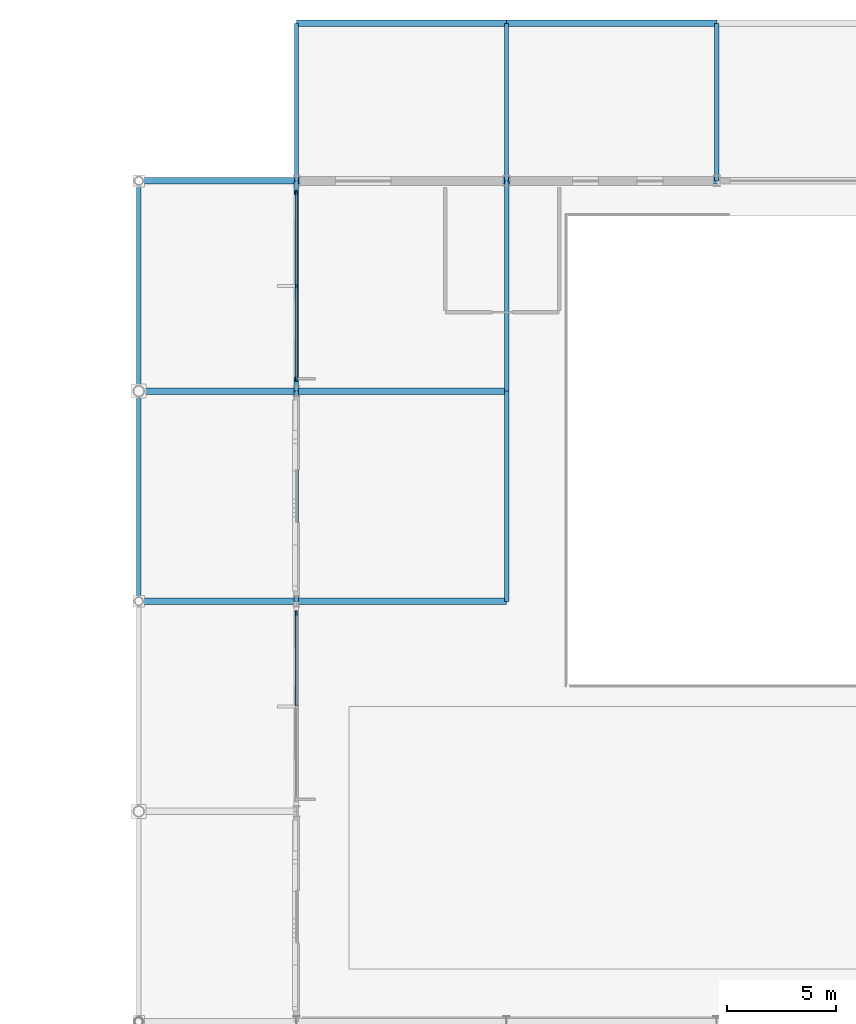
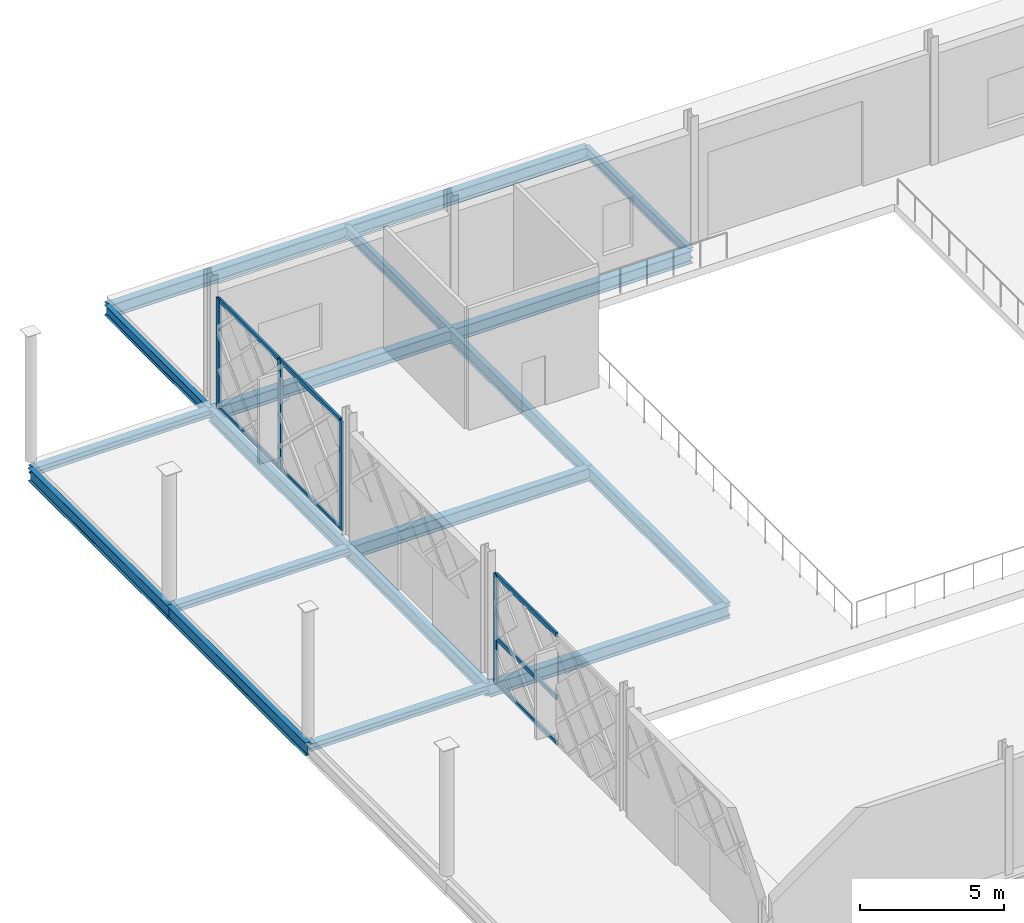
# One storey, part 36 of 84: 18 beams, 11 members, 2 elements without a shape of their own.
"""IFC4 building model written with IfcOpenShell, lengths in metres."""

import ifcopenshell
import ifcopenshell.guid

model = None  # the IFC model being written
_history = None  # IfcOwnerHistory: only IFC2X3 demands one
_inside = {}  # id of a spatial element -> (the spatial element, [elements in it])
_under = {}  # id of a project, library or spatial element -> (it, [spatial elements below it])
_declared = {}  # id of a project -> (the project, [libraries it declares])
_typed = {}  # id of a type object -> (the type object, [elements of that type])
_made_of = {}  # id of a material, layer set ... -> (it, [elements and type objects made of it])


def new_model(schema):
    """Start an empty IFC model of exactly this schema.

    Asked for "IFC4X3", IfcOpenShell would pick the latest addendum, in which some entities
    have other attributes; the version numbers below select the first issue.
    IFC2X3 requires an IfcOwnerHistory on every rooted entity: one is made here for all.
    """
    global model, _history
    if schema == "IFC4X3":
        model = ifcopenshell.file(schema_version=(4, 3, 0, 0))
    else:
        model = ifcopenshell.file(schema=schema)
    _inside.clear()
    _under.clear()
    _declared.clear()
    _typed.clear()
    _made_of.clear()
    _history = None
    if model.schema == "IFC2X3":
        org = make("IfcOrganization", Name="unknown")
        user = make(
            "IfcPersonAndOrganization",
            ThePerson=make("IfcPerson", FamilyName="unknown"),
            TheOrganization=org,
        )
        app = make(
            "IfcApplication",
            ApplicationDeveloper=org,
            Version="unknown",
            ApplicationFullName="unknown",
            ApplicationIdentifier="unknown",
        )
        _history = make(
            "IfcOwnerHistory",
            OwningUser=user,
            OwningApplication=app,
            ChangeAction="ADDED",
            CreationDate=0,
        )
    return model


def make(cls, **values):
    """One entity of the class cls with the attributes given. An attribute that is None is left unset."""
    return model.create_entity(
        cls, **{name: value for name, value in values.items() if value is not None}
    )


def rooted(cls, **values):
    """An entity with a GlobalId (a new one), such as an element, a storey or a relation."""
    return make(cls, GlobalId=ifcopenshell.guid.new(), OwnerHistory=_history, **values)


def si_unit(unit_type, name, prefix=None):
    """IfcSIUnit, for example si_unit("LENGTHUNIT", "METRE", prefix="MILLI")."""
    return make("IfcSIUnit", UnitType=unit_type, Prefix=prefix, Name=name)


def assignment(units):
    """IfcUnitAssignment: the units of a project."""
    return None if units is None else make("IfcUnitAssignment", Units=units)


def point(xyz):
    """IfcCartesianPoint."""
    return None if xyz is None else make("IfcCartesianPoint", Coordinates=xyz)


def direction(xyz):
    """IfcDirection."""
    return None if xyz is None else make("IfcDirection", DirectionRatios=xyz)


def frame(location, z_axis=None, x_axis=None):
    """IfcAxis2Placement3D, a coordinate frame: its origin and axes. An axis left out is left unset."""
    return make(
        "IfcAxis2Placement3D",
        Location=point(location),
        Axis=direction(z_axis),
        RefDirection=direction(x_axis),
    )


def frame_2d(location, x_axis=None):
    """IfcAxis2Placement2D, a coordinate frame in the plane: its origin and x axis."""
    return make(
        "IfcAxis2Placement2D", Location=point(location), RefDirection=direction(x_axis)
    )


def origin():
    """The frame at (0, 0, 0) with its axes left unset."""
    return frame((0.0, 0.0, 0.0))


def origin_2d():
    """The frame at (0, 0) in the plane with its x axis left unset."""
    return frame_2d((0.0, 0.0))


def place(relative_to, where):
    """IfcLocalPlacement: puts the frame where relative to a parent placement (None: the world)."""
    return make(
        "IfcLocalPlacement", PlacementRelTo=relative_to, RelativePlacement=where
    )


def context(
    kind, dimensions, precision=None, world=None, true_north=None, identifier=None
):
    """IfcGeometricRepresentationContext, for example the 3D "Model" context."""
    return make(
        "IfcGeometricRepresentationContext",
        ContextIdentifier=identifier,
        ContextType=kind,
        CoordinateSpaceDimension=dimensions,
        Precision=precision,
        WorldCoordinateSystem=world,
        TrueNorth=true_north,
    )


def subcontext(parent, identifier, kind, view, scale=None):
    """IfcGeometricRepresentationSubContext, for example "Body" below "Model"."""
    return make(
        "IfcGeometricRepresentationSubContext",
        ContextIdentifier=identifier,
        ContextType=kind,
        ParentContext=parent,
        TargetScale=scale,
        TargetView=view,
    )


def project(units=None, contexts=None):
    """IfcProject with its units and contexts."""
    return rooted(
        "IfcProject",
        Name="project",
        RepresentationContexts=contexts,
        UnitsInContext=assignment(units),
    )


def spatial(cls, under=None, at=None, **own):
    """A site, building, storey or space (cls), placed at a placement, below another one or the project."""
    s = rooted(cls, ObjectPlacement=at, **own)
    if under is not None:
        _under.setdefault(under.id(), (under, []))[1].append(s)
    return s


def profile(cls, at=None, kind="AREA", **sizes):
    """A parametric profile (cls). Its sizes go by their IFC names, for example OverallWidth=200.0."""
    return make(cls, ProfileType=kind, Position=at, **sizes)


def rectangle(**sizes):
    """IfcRectangleProfileDef."""
    return profile("IfcRectangleProfileDef", **sizes)


def i_section(**sizes):
    """IfcIShapeProfileDef."""
    return profile("IfcIShapeProfileDef", **sizes)


def extrude(swept, where, along, depth):
    """IfcExtrudedAreaSolid: the profile swept, set in the frame where, extruded along a direction by depth."""
    return make(
        "IfcExtrudedAreaSolid",
        SweptArea=swept,
        Position=where,
        ExtrudedDirection=direction(along),
        Depth=depth,
    )


def shape(context_of_items, identifier, shape_type, items):
    """IfcShapeRepresentation: the items that make up one representation, for example the "Body"."""
    return make(
        "IfcShapeRepresentation",
        ContextOfItems=context_of_items,
        RepresentationIdentifier=identifier,
        RepresentationType=shape_type,
        Items=items,
    )


def material(Name=None, Category=None):
    """IfcMaterial."""
    return make("IfcMaterial", Name=Name, Category=Category)


def layer(
    of_material, thickness, ventilated=None, Name=None, Category=None, Priority=None
):
    """IfcMaterialLayer: one layer of a wall or slab, of a material (None: an air gap)."""
    return make(
        "IfcMaterialLayer",
        Material=of_material,
        LayerThickness=thickness,
        IsVentilated=ventilated,
        Name=Name,
        Category=Category,
        Priority=Priority,
    )


def layer_set(layers, Name=None):
    """IfcMaterialLayerSet."""
    return make("IfcMaterialLayerSet", MaterialLayers=layers, LayerSetName=Name)


def material_profile(
    of_material, cross_section, Name=None, Category=None, Priority=None
):
    """IfcMaterialProfile: a cross section and its material."""
    return make(
        "IfcMaterialProfile",
        Name=Name,
        Material=of_material,
        Profile=cross_section,
        Priority=Priority,
        Category=Category,
    )


def profile_set(profiles, Name=None, composite=None):
    """IfcMaterialProfileSet."""
    return make(
        "IfcMaterialProfileSet",
        Name=Name,
        MaterialProfiles=profiles,
        CompositeProfile=composite,
    )


def made_of(thing, what):
    """Note that an element or type object is made of a material, layer set ...; save() writes the relation."""
    if what is not None:
        _made_of.setdefault(what.id(), (what, []))[1].append(thing)
    return thing


def type_object(cls, material=None, **own):
    """A type object (cls), such as IfcWallType, which elements share."""
    return made_of(rooted(cls, **own), material)


def element(
    cls,
    number,
    at=None,
    inside=None,
    cuts=None,
    type_object=None,
    material=None,
    context=None,
    identifier="Body",
    shape_type=None,
    held_by="IfcProductDefinitionShape",
    body=None,
    shapes=None,
    **own,
):
    """One element of the class cls, such as IfcWall. Its Tag is "e" and its number.

    at: its placement. inside: the storey or other place that contains it. cuts: it is an
    opening in that element (IfcRelVoidsElement). A single representation is given by context,
    identifier, shape_type and body (its items); several are given by shapes. held_by: the class
    of the entity that holds the representations. save() writes the other relations.
    """
    e = rooted(cls, Tag="e%d" % number, ObjectPlacement=at, **own)
    if body is not None:
        shapes = [shape(context, identifier, shape_type, body)]
    if shapes is not None:
        e.Representation = make(held_by, Representations=shapes)
    if inside is not None:
        _inside.setdefault(inside.id(), (inside, []))[1].append(e)
    if cuts is not None:
        rooted(
            "IfcRelVoidsElement", RelatingBuildingElement=cuts, RelatedOpeningElement=e
        )
    if type_object is not None:
        _typed.setdefault(type_object.id(), (type_object, []))[1].append(e)
    return made_of(e, material)


def aggregate(whole, parts):
    """IfcRelAggregates: a whole, such as a stair, and the parts it consists of."""
    return rooted("IfcRelAggregates", RelatingObject=whole, RelatedObjects=parts)


def save(model, path):
    """Write the relations noted so far, then the file.

    IfcRelAggregates (storeys below a building ...), IfcRelContainedInSpatialStructure (elements
    in a storey), IfcRelDefinesByType, IfcRelAssociatesMaterial and IfcRelDeclares: one each for
    every whole, place, type object, material and project.
    """
    for whole, parts in _under.values():
        aggregate(whole, parts)
    for where, things in _inside.values():
        rooted(
            "IfcRelContainedInSpatialStructure",
            RelatedElements=things,
            RelatingStructure=where,
        )
    for kind, things in _typed.values():
        rooted("IfcRelDefinesByType", RelatedObjects=things, RelatingType=kind)
    for what, things in _made_of.values():
        rooted("IfcRelAssociatesMaterial", RelatedObjects=things, RelatingMaterial=what)
    for by, libraries in _declared.values():
        rooted("IfcRelDeclares", RelatingContext=by, RelatedDefinitions=libraries)
    model.write(path)


model = new_model("IFC4")

# Units and contexts
model_context = context("Model", 3, precision=1e-05, world=origin(), true_north=direction((0.0, 1.0)))
body_context = subcontext(model_context, "Body", "Model", "MODEL_VIEW")
ifc_project = project(units=[si_unit("LENGTHUNIT", "METRE"), si_unit("AREAUNIT", "SQUARE_METRE"), si_unit("VOLUMEUNIT", "CUBIC_METRE"), si_unit("PLANEANGLEUNIT", "RADIAN"), si_unit("MASSUNIT", "GRAM", prefix="KILO")], contexts=[model_context])

# Site, building, storey
site_placement = place(None, origin())
site = spatial("IfcSite", under=ifc_project, at=site_placement, CompositionType="ELEMENT")
building_placement = place(site_placement, origin())
building = spatial("IfcBuilding", under=site, at=building_placement, Name="Zevrakil Square Congress Hotel", CompositionType="ELEMENT")
storey_placement = place(building_placement, origin())
storey = spatial("IfcBuildingStorey", under=building, at=storey_placement, Name="L01", CompositionType="ELEMENT", Elevation=0.0)

# Beams
ifc_material_1 = material(Name="Steel S355", Category="steel")
ifc_material_profile_1 = material_profile(ifc_material_1, i_section(OverallWidth=0.300048828125, OverallDepth=0.31005859375, WebThickness=0.009033203125, FlangeThickness=0.015380859375, FilletRadius=0.027099609375, at=origin_2d()), Name="HEA 320")
ifc_profile_set_1 = profile_set([ifc_material_profile_1], Name="Steel S355")
beam_type_1 = type_object("IfcBeamType", Name="BM-HEA320", PredefinedType="BEAM", material=ifc_profile_set_1)
for number, where, z_axis, x_axis, name in (
    (1, (0.0, 93.60009765625, -0.47509765625), (1.0, 0.0, 0.0), (0.0, 1.0, 0.0), "L01 primary girder BX-0399"),
    (2, (0.0, 103.199951171875, -0.47509765625), (1.0, 0.0, 0.0), (0.0, 1.0, 0.0), "L01 primary girder BX-0411"),
    (3, (0.0, 112.800048828125, -0.47509765625), (1.0, 0.0, 0.0), (0.0, 1.0, 0.0), "L01 primary girder BX-0423"),
):
    element("IfcBeam", number, at=place(storey_placement, frame(where, z_axis=z_axis, x_axis=x_axis)), inside=storey, type_object=beam_type_1, Name=name, PredefinedType="BEAM", context=body_context, shape_type="SweptSolid", body=[
        extrude(i_section(OverallWidth=0.300048828125, OverallDepth=0.31005859375, WebThickness=0.009033203125, FlangeThickness=0.015380859375, FilletRadius=0.027099609375, at=origin_2d()), origin(), (0.0, 0.0, 1.0), 7.199951171875),
    ])
ifc_material_2 = material(Name="Steel S355", Category="steel")
ifc_material_profile_2 = material_profile(ifc_material_2, i_section(OverallWidth=0.300048828125, OverallDepth=0.5400390625, WebThickness=0.012451171875, FlangeThickness=0.02392578125, FilletRadius=0.027099609375, at=origin_2d()), Name="HEA 550")
ifc_profile_set_2 = profile_set([ifc_material_profile_2], Name="Steel S355")
beam_type_2 = type_object("IfcBeamType", Name="BM-HEA550", PredefinedType="BEAM", material=ifc_profile_set_2)
for number, where, z_axis, x_axis, name in (
    (4, (7.199951171875, 93.60009765625, -0.590087890625), (1.0, 0.0, 0.0), (0.0, 1.0, 0.0), "L01 primary girder BX-0400"),
    (5, (7.199951171875, 103.199951171875, -0.590087890625), (1.0, 0.0, 0.0), (0.0, 1.0, 0.0), "L01 primary girder BX-0412"),
    (6, (7.199951171875, 112.800048828125, -0.590087890625), (1.0, 0.0, 0.0), (0.0, 1.0, 0.0), "L01 primary girder BX-0424"),
):
    element("IfcBeam", number, at=place(storey_placement, frame(where, z_axis=z_axis, x_axis=x_axis)), inside=storey, type_object=beam_type_2, Name=name, PredefinedType="BEAM", context=body_context, shape_type="SweptSolid", body=[
        extrude(i_section(OverallWidth=0.300048828125, OverallDepth=0.5400390625, WebThickness=0.012451171875, FlangeThickness=0.02392578125, FilletRadius=0.027099609375, at=origin_2d()), origin(), (0.0, 0.0, 1.0), 9.60009765625),
    ])
beam_1_placement = place(storey_placement, frame((16.800048828125, 112.800048828125, -0.590087890625), z_axis=(1.0, 0.0, 0.0), x_axis=(0.0, 1.0, 0.0)))
element("IfcBeam", 7, at=beam_1_placement, inside=storey, type_object=beam_type_2, Name="L01 primary girder BX-0425", PredefinedType="BEAM", context=body_context, shape_type="SweptSolid", body=[
    extrude(i_section(OverallWidth=0.300048828125, OverallDepth=0.5400390625, WebThickness=0.012451171875, FlangeThickness=0.02392578125, FilletRadius=0.027099609375, at=origin_2d()), origin(), (0.0, 0.0, 1.0), 9.599853515625),
])
beam_2_placement = place(storey_placement, frame((7.199951171875, 120.0, -0.590087890625), z_axis=(1.0, 0.0, 0.0), x_axis=(0.0, 1.0, 0.0)))
element("IfcBeam", 8, at=beam_2_placement, inside=storey, type_object=beam_type_2, Name="L01 primary girder BX-0442", PredefinedType="BEAM", context=body_context, shape_type="SweptSolid", body=[
    extrude(i_section(OverallWidth=0.300048828125, OverallDepth=0.5400390625, WebThickness=0.012451171875, FlangeThickness=0.02392578125, FilletRadius=0.027099609375, at=origin_2d()), origin(), (0.0, 0.0, 1.0), 9.60009765625),
])
beam_3_placement = place(storey_placement, frame((16.800048828125, 120.0, -0.590087890625), z_axis=(1.0, 0.0, 0.0), x_axis=(0.0, 1.0, 0.0)))
element("IfcBeam", 9, at=beam_3_placement, inside=storey, type_object=beam_type_2, Name="L01 primary girder BX-0443", PredefinedType="BEAM", context=body_context, shape_type="SweptSolid", body=[
    extrude(i_section(OverallWidth=0.300048828125, OverallDepth=0.5400390625, WebThickness=0.012451171875, FlangeThickness=0.02392578125, FilletRadius=0.027099609375, at=origin_2d()), origin(), (0.0, 0.0, 1.0), 9.599853515625),
])
ifc_material_3 = material(Name="Steel S355", Category="steel")
ifc_material_profile_3 = material_profile(ifc_material_3, i_section(OverallWidth=0.18994140625, OverallDepth=0.449951171875, WebThickness=0.009521484375, FlangeThickness=0.0146484375, FilletRadius=0.02099609375, at=origin_2d()), Name="IPE 450")
ifc_profile_set_3 = profile_set([ifc_material_profile_3], Name="Steel S355")
beam_type_3 = type_object("IfcBeamType", Name="BM-IPE450", PredefinedType="BEAM", material=ifc_profile_set_3)
for number, where, z_axis, x_axis, name in (
    (10, (7.199951171875, 112.800048828125, -0.544921875), (0.0, 1.0, 0.0), (-1.0, 0.0, 0.0), "L01 primary girder BY-0480"),
    (11, (16.800048828125, 112.800048828125, -0.544921875), (0.0, 1.0, 0.0), (-1.0, 0.0, 0.0), "L01 primary girder BY-0488"),
    (12, (26.39990234375, 112.800048828125, -0.544921875), (0.0, 1.0, 0.0), (-1.0, 0.0, 0.0), "L01 primary girder BY-0494"),
):
    element("IfcBeam", number, at=place(storey_placement, frame(where, z_axis=z_axis, x_axis=x_axis)), inside=storey, type_object=beam_type_3, Name=name, PredefinedType="BEAM", context=body_context, shape_type="SweptSolid", body=[
        extrude(i_section(OverallWidth=0.18994140625, OverallDepth=0.449951171875, WebThickness=0.009521484375, FlangeThickness=0.0146484375, FilletRadius=0.02099609375, at=origin_2d()), origin(), (0.0, 0.0, 1.0), 7.199951171875),
    ])
ifc_material_4 = material(Name="Steel S355", Category="steel")
ifc_material_profile_4 = material_profile(ifc_material_4, i_section(OverallWidth=0.2099609375, OverallDepth=0.550048828125, WebThickness=0.010986328125, FlangeThickness=0.01708984375, FilletRadius=0.02392578125, at=origin_2d()), Name="IPE 550")
ifc_profile_set_4 = profile_set([ifc_material_profile_4], Name="Steel S355")
beam_type_4 = type_object("IfcBeamType", Name="BM-IPE550", PredefinedType="BEAM", material=ifc_profile_set_4)
beam_4_placement = place(storey_placement, frame((0.0, 93.60009765625, -0.594970703125), z_axis=(0.0, 1.0, 0.0), x_axis=(-1.0, 0.0, 0.0)))
element("IfcBeam", 13, at=beam_4_placement, inside=storey, type_object=beam_type_4, Name="L01 primary girder BY-0469", PredefinedType="BEAM", context=body_context, shape_type="SweptSolid", body=[
    extrude(i_section(OverallWidth=0.2099609375, OverallDepth=0.550048828125, WebThickness=0.010986328125, FlangeThickness=0.01708984375, FilletRadius=0.02392578125, at=origin_2d()), origin(), (0.0, 0.0, 1.0), 9.599853515625),
])
beam_5_placement = place(storey_placement, frame((0.0, 103.199951171875, -0.594970703125), z_axis=(0.0, 1.0, 0.0), x_axis=(-1.0, 0.0, 0.0)))
element("IfcBeam", 14, at=beam_5_placement, inside=storey, type_object=beam_type_4, Name="L01 primary girder BY-0470", PredefinedType="BEAM", context=body_context, shape_type="SweptSolid", body=[
    extrude(i_section(OverallWidth=0.2099609375, OverallDepth=0.550048828125, WebThickness=0.010986328125, FlangeThickness=0.01708984375, FilletRadius=0.02392578125, at=origin_2d()), origin(), (0.0, 0.0, 1.0), 9.60009765625),
])
beam_6_placement = place(storey_placement, frame((7.199951171875, 93.60009765625, -0.594970703125), z_axis=(0.0, 1.0, 0.0), x_axis=(-1.0, 0.0, 0.0)))
element("IfcBeam", 15, at=beam_6_placement, inside=storey, type_object=beam_type_4, Name="L01 primary girder BY-0478", PredefinedType="BEAM", context=body_context, shape_type="SweptSolid", body=[
    extrude(i_section(OverallWidth=0.2099609375, OverallDepth=0.550048828125, WebThickness=0.010986328125, FlangeThickness=0.01708984375, FilletRadius=0.02392578125, at=origin_2d()), origin(), (0.0, 0.0, 1.0), 9.599853515625),
])
beam_7_placement = place(storey_placement, frame((7.199951171875, 103.199951171875, -0.594970703125), z_axis=(0.0, 1.0, 0.0), x_axis=(-1.0, 0.0, 0.0)))
element("IfcBeam", 16, at=beam_7_placement, inside=storey, type_object=beam_type_4, Name="L01 primary girder BY-0479", PredefinedType="BEAM", context=body_context, shape_type="SweptSolid", body=[
    extrude(i_section(OverallWidth=0.2099609375, OverallDepth=0.550048828125, WebThickness=0.010986328125, FlangeThickness=0.01708984375, FilletRadius=0.02392578125, at=origin_2d()), origin(), (0.0, 0.0, 1.0), 9.60009765625),
])
beam_8_placement = place(storey_placement, frame((16.800048828125, 93.60009765625, -0.594970703125), z_axis=(0.0, 1.0, 0.0), x_axis=(-1.0, 0.0, 0.0)))
element("IfcBeam", 17, at=beam_8_placement, inside=storey, type_object=beam_type_4, Name="L01 primary girder BY-0486", PredefinedType="BEAM", context=body_context, shape_type="SweptSolid", body=[
    extrude(i_section(OverallWidth=0.2099609375, OverallDepth=0.550048828125, WebThickness=0.010986328125, FlangeThickness=0.01708984375, FilletRadius=0.02392578125, at=origin_2d()), origin(), (0.0, 0.0, 1.0), 9.599853515625),
])
beam_9_placement = place(storey_placement, frame((16.800048828125, 103.199951171875, -0.594970703125), z_axis=(0.0, 1.0, 0.0), x_axis=(-1.0, 0.0, 0.0)))
element("IfcBeam", 18, at=beam_9_placement, inside=storey, type_object=beam_type_4, Name="L01 primary girder BY-0487", PredefinedType="BEAM", context=body_context, shape_type="SweptSolid", body=[
    extrude(i_section(OverallWidth=0.2099609375, OverallDepth=0.550048828125, WebThickness=0.010986328125, FlangeThickness=0.01708984375, FilletRadius=0.02392578125, at=origin_2d()), origin(), (0.0, 0.0, 1.0), 9.60009765625),
])

# Curtain wall, members
ifc_material_5 = material(Name="Aluminium Anodised Bronze", Category="aluminium")
ifc_layer = layer(ifc_material_5, 0.179931640625)
ifc_layer_set = layer_set([ifc_layer], Name="Aluminium Anodised Bronze")
curtain_wall_type = type_object("IfcCurtainWallType", Name="CW-L01-840", PredefinedType="USERDEFINED", material=ifc_layer_set)
curtain_wall_1_placement = place(storey_placement, origin())
curtain_wall_1 = element("IfcCurtainWall", 19, at=curtain_wall_1_placement, inside=storey, type_object=curtain_wall_type, Name="L01 diamond curtain wall CW-L01-0020", ObjectType="GLAZED CURTAIN WALL", PredefinedType="USERDEFINED")
ifc_material_6 = material(Name="Aluminium Anodised Bronze", Category="aluminium")
ifc_material_profile_5 = material_profile(ifc_material_6, rectangle(XDim=0.0849609375, YDim=0.179931640625, at=origin_2d()), Name="ALU 85x180")
ifc_profile_set_5 = profile_set([ifc_material_profile_5], Name="Aluminium Anodised Bronze")
member_type_1 = type_object("IfcMemberType", Name="CWM-ALU85x180", PredefinedType="USERDEFINED", material=ifc_profile_set_5)
member_1_placement = place(storey_placement, frame((7.199951171875, 88.830078125, 0.030029296875), z_axis=(0.0, 1.0, 0.0), x_axis=(-1.0, 0.0, 0.0)))
member_1 = element("IfcMember", 20, at=member_1_placement, type_object=member_type_1, Name="CW-11 transom 2.1", ObjectType="TRANSOM", PredefinedType="USERDEFINED", context=body_context, shape_type="SweptSolid", body=[
    extrude(rectangle(XDim=0.0849609375, YDim=0.179931640625, at=origin_2d()), origin(), (0.0, 0.0, 1.0), 4.18994140625),
])
member_2_placement = place(storey_placement, frame((7.199951171875, 88.830078125, 1.9423828125), z_axis=(0.0, 1.0, 0.0), x_axis=(-1.0, 0.0, 0.0)))
member_2 = element("IfcMember", 21, at=member_2_placement, type_object=member_type_1, Name="CW-11 transom 2.2", ObjectType="TRANSOM", PredefinedType="USERDEFINED", context=body_context, shape_type="SweptSolid", body=[
    extrude(rectangle(XDim=0.0849609375, YDim=0.179931640625, at=origin_2d()), origin(), (0.0, 0.0, 1.0), 4.18994140625),
])
member_3_placement = place(storey_placement, frame((7.199951171875, 88.830078125, 4.594970703125), z_axis=(0.0, 1.0, 0.0), x_axis=(-1.0, 0.0, 0.0)))
member_3 = element("IfcMember", 22, at=member_3_placement, type_object=member_type_1, Name="CW-11 transom 2.3", ObjectType="TRANSOM", PredefinedType="USERDEFINED", context=body_context, shape_type="SweptSolid", body=[
    extrude(rectangle(XDim=0.0849609375, YDim=0.179931640625, at=origin_2d()), origin(), (0.0, 0.0, 1.0), 4.18994140625),
])

curtain_wall_2_placement = place(storey_placement, origin())
curtain_wall_2 = element("IfcCurtainWall", 23, at=curtain_wall_2_placement, inside=storey, type_object=curtain_wall_type, Name="L01 diamond curtain wall CW-L01-0021", ObjectType="GLAZED CURTAIN WALL", PredefinedType="USERDEFINED")
member_4_placement = place(storey_placement, frame((7.199951171875, 103.780029296875, 0.030029296875), z_axis=(0.0, 1.0, 0.0), x_axis=(-1.0, 0.0, 0.0)))
member_4 = element("IfcMember", 24, at=member_4_placement, type_object=member_type_1, Name="CW-11 transom 1.1", ObjectType="TRANSOM", PredefinedType="USERDEFINED", context=body_context, shape_type="SweptSolid", body=[
    extrude(rectangle(XDim=0.0849609375, YDim=0.179931640625, at=origin_2d()), origin(), (0.0, 0.0, 1.0), 4.18994140625),
])
member_5_placement = place(storey_placement, frame((7.199951171875, 103.780029296875, 4.594970703125), z_axis=(0.0, 1.0, 0.0), x_axis=(-1.0, 0.0, 0.0)))
member_5 = element("IfcMember", 25, at=member_5_placement, type_object=member_type_1, Name="CW-11 transom 1.2", ObjectType="TRANSOM", PredefinedType="USERDEFINED", context=body_context, shape_type="SweptSolid", body=[
    extrude(rectangle(XDim=0.0849609375, YDim=0.179931640625, at=origin_2d()), origin(), (0.0, 0.0, 1.0), 4.18994140625),
])
member_6_placement = place(storey_placement, frame((7.199951171875, 108.030029296875, 0.030029296875), z_axis=(0.0, 1.0, 0.0), x_axis=(-1.0, 0.0, 0.0)))
member_6 = element("IfcMember", 26, at=member_6_placement, type_object=member_type_1, Name="CW-11 transom 2.1", ObjectType="TRANSOM", PredefinedType="USERDEFINED", context=body_context, shape_type="SweptSolid", body=[
    extrude(rectangle(XDim=0.0849609375, YDim=0.179931640625, at=origin_2d()), origin(), (0.0, 0.0, 1.0), 4.18994140625),
])
member_7_placement = place(storey_placement, frame((7.199951171875, 108.030029296875, 4.594970703125), z_axis=(0.0, 1.0, 0.0), x_axis=(-1.0, 0.0, 0.0)))
member_7 = element("IfcMember", 27, at=member_7_placement, type_object=member_type_1, Name="CW-11 transom 2.2", ObjectType="TRANSOM", PredefinedType="USERDEFINED", context=body_context, shape_type="SweptSolid", body=[
    extrude(rectangle(XDim=0.0849609375, YDim=0.179931640625, at=origin_2d()), origin(), (0.0, 0.0, 1.0), 4.18994140625),
])

# Member
ifc_material_7 = material(Name="Aluminium Anodised Bronze", Category="aluminium")
ifc_material_profile_6 = material_profile(ifc_material_7, rectangle(XDim=0.0849609375, YDim=0.219970703125, at=origin_2d()), Name="ALU 85x220")
ifc_profile_set_6 = profile_set([ifc_material_profile_6], Name="Aluminium Anodised Bronze")
member_type_2 = type_object("IfcMemberType", Name="CWM-ALU85x220", PredefinedType="MULLION", material=ifc_profile_set_6)
member_8_placement = place(storey_placement, frame((7.199951171875, 93.050048828125, 0.0), z_axis=(0.0, 0.0, 1.0), x_axis=(-1.0, 0.0, 0.0)))
member_8 = element("IfcMember", 28, at=member_8_placement, type_object=member_type_2, Name="CW-11 mullion 3", PredefinedType="MULLION", context=body_context, shape_type="SweptSolid", body=[
    extrude(rectangle(XDim=0.0849609375, YDim=0.219970703125, at=origin_2d()), origin(), (0.0, 0.0, 1.0), 4.625),
])

aggregate(curtain_wall_1, [member_8, member_1, member_2, member_3])

member_9_placement = place(storey_placement, frame((7.199951171875, 103.75, 0.0), z_axis=(0.0, 0.0, 1.0), x_axis=(-1.0, 0.0, 0.0)))
member_9 = element("IfcMember", 29, at=member_9_placement, type_object=member_type_2, Name="CW-11 mullion 1", PredefinedType="MULLION", context=body_context, shape_type="SweptSolid", body=[
    extrude(rectangle(XDim=0.0849609375, YDim=0.219970703125, at=origin_2d()), origin(), (0.0, 0.0, 1.0), 4.625),
])

member_10_placement = place(storey_placement, frame((7.199951171875, 108.0, 0.0), z_axis=(0.0, 0.0, 1.0), x_axis=(-1.0, 0.0, 0.0)))
member_10 = element("IfcMember", 30, at=member_10_placement, type_object=member_type_2, Name="CW-11 mullion 2", PredefinedType="MULLION", context=body_context, shape_type="SweptSolid", body=[
    extrude(rectangle(XDim=0.0849609375, YDim=0.219970703125, at=origin_2d()), origin(), (0.0, 0.0, 1.0), 4.625),
])

member_11_placement = place(storey_placement, frame((7.199951171875, 112.25, 0.0), z_axis=(0.0, 0.0, 1.0), x_axis=(-1.0, 0.0, 0.0)))
member_11 = element("IfcMember", 31, at=member_11_placement, type_object=member_type_2, Name="CW-11 mullion 3", PredefinedType="MULLION", context=body_context, shape_type="SweptSolid", body=[
    extrude(rectangle(XDim=0.0849609375, YDim=0.219970703125, at=origin_2d()), origin(), (0.0, 0.0, 1.0), 4.625),
])

aggregate(curtain_wall_2, [member_9, member_10, member_11, member_4, member_5, member_6, member_7])

save(model, "model.ifc")
